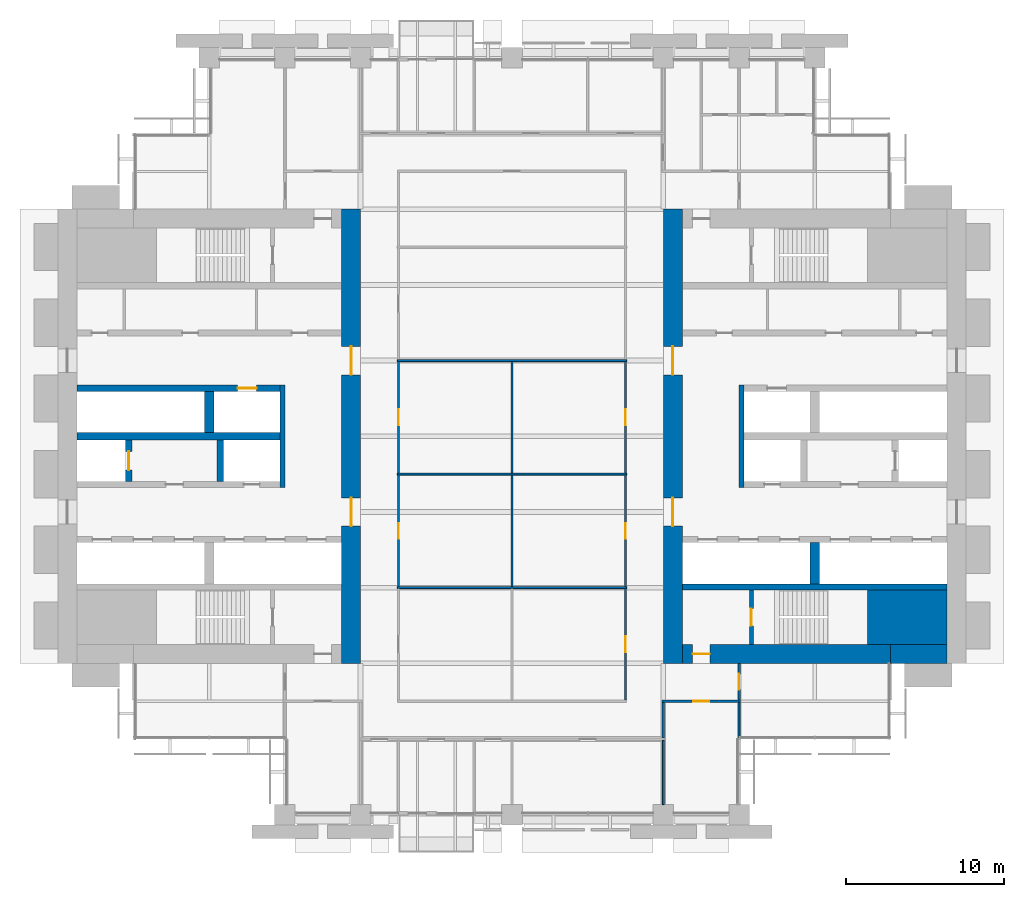
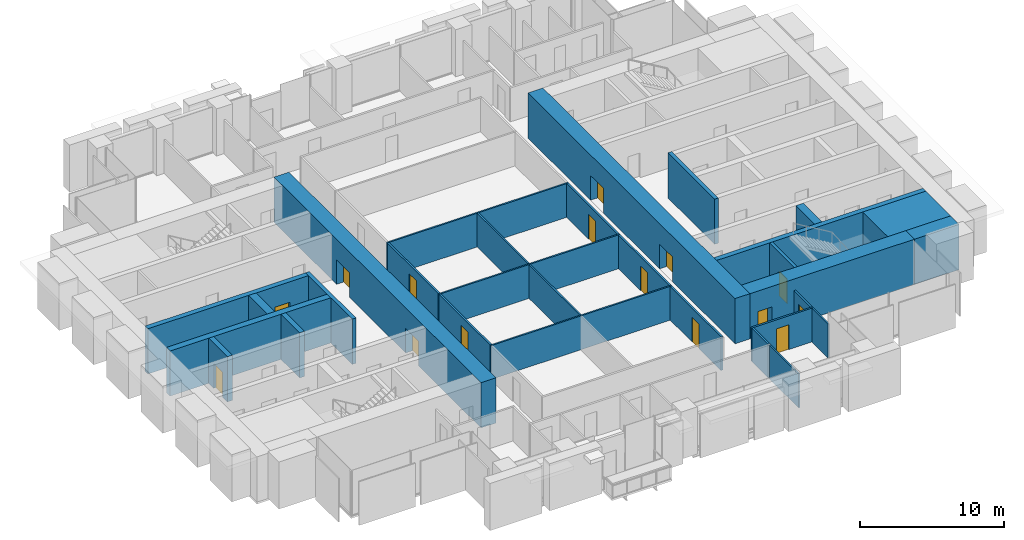
# One storey, part 10 of 15: 30 walls, 15 doors, 15 openings.
"""IFC4 building model written with IfcOpenShell, lengths in metres."""

from ifc_helpers import new_model, si_unit, direction, frame, frame_2d, origin, place, context, subcontext, project, spatial, rectangle, extrude, material, layer, layer_set, type_object, element, fill, save


model = new_model("IFC4")

# Units and contexts
model_context = context("Model", 3, precision=1e-05, world=origin(), true_north=direction((0.0, 1.0)))
body_context = subcontext(model_context, "Body", "Model", "MODEL_VIEW")
ifc_project = project(units=[si_unit("LENGTHUNIT", "METRE"), si_unit("AREAUNIT", "SQUARE_METRE"), si_unit("VOLUMEUNIT", "CUBIC_METRE"), si_unit("PLANEANGLEUNIT", "RADIAN"), si_unit("MASSUNIT", "GRAM", prefix="KILO")], contexts=[model_context])

# Site, building, storey
site_placement = place(None, origin())
site = spatial("IfcSite", under=ifc_project, at=site_placement, CompositionType="ELEMENT")
building_placement = place(site_placement, origin())
building = spatial("IfcBuilding", under=site, at=building_placement, Name="Baori Bourse Tower", CompositionType="ELEMENT")
storey_placement = place(building_placement, frame((0.0, 0.0, 71.0)))
storey = spatial("IfcBuildingStorey", under=building, at=storey_placement, Name="L15", CompositionType="ELEMENT", Elevation=71.0)

# Wall
ifc_material_1 = material(Name="Concrete f'c 70 MPa", Category="concrete")
wall_type_1 = type_object("IfcWallType", Name="Core corner block f'c 70", PredefinedType="SHEAR", material=ifc_material_1)
wall_1_placement = place(storey_placement, frame((51.35009765625, 12.52490234375, 0.0), z_axis=(0.0, 0.0, 1.0), x_axis=(1.0, 0.0, 0.0)))
element("IfcWall", 1, at=wall_1_placement, inside=storey, type_object=wall_type_1, Name="Core wall E05", PredefinedType="SHEAR", context=body_context, shape_type="SweptSolid", body=[
    extrude(rectangle(XDim=5.0498046875, YDim=3.449951171875, at=frame_2d((2.52490234375, 0.0))), origin(), (0.0, 0.0, 1.0), 3.840087890625),
])

# Wall, openings, doors
ifc_material_2 = material(Name="Concrete f'c 70 MPa", Category="concrete")
ifc_layer_1 = layer(ifc_material_2, 1.199951171875)
ifc_layer_set_1 = layer_set([ifc_layer_1], Name="Core wall 1200 f'c 70")
wall_type_2 = type_object("IfcWallType", Name="Core wall 1200 f'c 70", PredefinedType="SHEAR", material=ifc_layer_set_1)
wall_2_placement = place(storey_placement, frame((18.60009765625, 38.39990234375, 0.0), z_axis=(0.0, 0.0, 1.0), x_axis=(0.0, -1.0, 0.0)))
wall_2 = element("IfcWall", 2, at=wall_2_placement, inside=storey, type_object=wall_type_2, Name="Core wall W04", PredefinedType="SHEAR", context=body_context, shape_type="SweptSolid", body=[
    extrude(rectangle(XDim=28.7998046875, YDim=1.199951171875, at=frame_2d((14.39990234375, 0.0))), origin(), (0.0, 0.0, 1.0), 3.840087890625),
])
opening_1_placement = place(wall_2_placement, frame((18.300048828125, 0.0, 0.0)))
opening_1 = element("IfcOpeningElement", 3, at=opening_1_placement, cuts=wall_2, Name="Opening L15-D107", PredefinedType="OPENING", context=body_context, shape_type="SweptSolid", body=[
    extrude(rectangle(XDim=1.800048828125, YDim=2.10009765625, at=frame_2d((0.89990234375, 1.050048828125))), frame((0.0, 0.60986328125, 0.0), z_axis=(0.0, -1.0, 0.0), x_axis=(1.0, 0.0, 0.0)), (0.0, 0.0, 1.0), 1.219970703125),
])
opening_2_placement = place(wall_2_placement, frame((8.699951171875, 0.0, 0.0)))
opening_2 = element("IfcOpeningElement", 4, at=opening_2_placement, cuts=wall_2, Name="Opening L15-D108", PredefinedType="OPENING", context=body_context, shape_type="SweptSolid", body=[
    extrude(rectangle(XDim=1.800048828125, YDim=2.10009765625, at=frame_2d((0.89990234375, 1.050048828125))), frame((0.0, 0.60986328125, 0.0), z_axis=(0.0, -1.0, 0.0), x_axis=(1.0, 0.0, 0.0)), (0.0, 0.0, 1.0), 1.219970703125),
])
ifc_material_3 = material(Name="Painted steel door", Category="steel")
door_type_1 = type_object("IfcDoorType", Name="Core lobby door 1800", OperationType="DOUBLE_DOOR_SINGLE_SWING", PredefinedType="DOOR", material=ifc_material_3)
door_1_placement = place(opening_1_placement, origin())
door_1 = element("IfcDoor", 5, at=door_1_placement, inside=storey, type_object=door_type_1, Name="Lobby door W L15", OperationType="DOUBLE_DOOR_SINGLE_SWING", OverallHeight=2.10009765625, OverallWidth=1.800048828125, PredefinedType="DOOR", context=body_context, shape_type="SweptSolid", body=[
    extrude(rectangle(XDim=1.800048828125, YDim=2.10009765625, at=frame_2d((0.89990234375, 1.050048828125))), frame((0.0, 0.02490234375, 0.0), z_axis=(0.0, -1.0, 0.0), x_axis=(1.0, 0.0, 0.0)), (0.0, 0.0, 1.0), 0.050048828125),
])
fill(opening_1, door_1)
door_2_placement = place(opening_2_placement, origin())
door_2 = element("IfcDoor", 6, at=door_2_placement, inside=storey, type_object=door_type_1, Name="Lobby door W L15", OperationType="DOUBLE_DOOR_SINGLE_SWING", OverallHeight=2.10009765625, OverallWidth=1.800048828125, PredefinedType="DOOR", context=body_context, shape_type="SweptSolid", body=[
    extrude(rectangle(XDim=1.800048828125, YDim=2.10009765625, at=frame_2d((0.89990234375, 1.050048828125))), frame((0.0, 0.02490234375, 0.0), z_axis=(0.0, -1.0, 0.0), x_axis=(1.0, 0.0, 0.0)), (0.0, 0.0, 1.0), 0.050048828125),
])
fill(opening_2, door_2)

# Wall
wall_3_placement = place(storey_placement, frame((56.39990234375, 10.199951171875, 0.0), z_axis=(0.0, 0.0, 1.0), x_axis=(-1.0, 0.0, 0.0)))
element("IfcWall", 7, at=wall_3_placement, inside=storey, type_object=wall_type_2, Name="Core wall E02", PredefinedType="SHEAR", context=body_context, shape_type="SweptSolid", body=[
    extrude(rectangle(XDim=3.599853515625, YDim=1.199951171875, at=frame_2d((1.7998046875, 0.0))), origin(), (0.0, 0.0, 1.0), 3.840087890625),
])

# Wall, opening, door
wall_4_placement = place(storey_placement, frame((52.800048828125, 10.199951171875, 0.0), z_axis=(0.0, 0.0, 1.0), x_axis=(-1.0, 0.0, 0.0)))
wall_4 = element("IfcWall", 8, at=wall_4_placement, inside=storey, type_object=wall_type_2, Name="Core wall E03", PredefinedType="SHEAR", context=body_context, shape_type="SweptSolid", body=[
    extrude(rectangle(XDim=13.199951171875, YDim=1.199951171875, at=frame_2d((6.60009765625, 0.0))), origin(), (0.0, 0.0, 1.0), 3.840087890625),
])
opening_3_placement = place(wall_4_placement, frame((11.449951171875, 0.0, 0.0)))
opening_3 = element("IfcOpeningElement", 9, at=opening_3_placement, cuts=wall_4, Name="Opening L15-D202", PredefinedType="OPENING", context=body_context, shape_type="SweptSolid", body=[
    extrude(rectangle(XDim=1.10009765625, YDim=2.10009765625, at=frame_2d((0.550048828125, 1.050048828125))), frame((0.0, 0.60986328125, 0.0), z_axis=(0.0, -1.0, 0.0), x_axis=(1.0, 0.0, 0.0)), (0.0, 0.0, 1.0), 1.219970703125),
])
ifc_material_4 = material(Name="Painted steel door", Category="steel")
door_type_2 = type_object("IfcDoorType", Name="Stair door 1100", OperationType="SINGLE_SWING_LEFT", PredefinedType="DOOR", material=ifc_material_4)
door_3_placement = place(opening_3_placement, origin())
door_3 = element("IfcDoor", 10, at=door_3_placement, inside=storey, type_object=door_type_2, Name="Stair vestibule door A E L15", OperationType="SINGLE_SWING_LEFT", OverallHeight=2.10009765625, OverallWidth=1.10009765625, PredefinedType="DOOR", context=body_context, shape_type="SweptSolid", body=[
    extrude(rectangle(XDim=1.10009765625, YDim=2.10009765625, at=frame_2d((0.550048828125, 1.050048828125))), frame((0.0, 0.02490234375, 0.0), z_axis=(0.0, -1.0, 0.0), x_axis=(1.0, 0.0, 0.0)), (0.0, 0.0, 1.0), 0.050048828125),
])
fill(opening_3, door_3)

# Wall, openings, doors
wall_5_placement = place(storey_placement, frame((39.0, 9.60009765625, 0.0), z_axis=(0.0, 0.0, 1.0), x_axis=(0.0, 1.0, 0.0)))
wall_5 = element("IfcWall", 11, at=wall_5_placement, inside=storey, type_object=wall_type_2, Name="Core wall E04", PredefinedType="SHEAR", context=body_context, shape_type="SweptSolid", body=[
    extrude(rectangle(XDim=28.7998046875, YDim=1.199951171875, at=frame_2d((14.39990234375, 0.0))), origin(), (0.0, 0.0, 1.0), 3.840087890625),
])
opening_4_placement = place(wall_5_placement, frame((8.699951171875, 0.0, 0.0)))
opening_4 = element("IfcOpeningElement", 12, at=opening_4_placement, cuts=wall_5, Name="Opening L15-D207", PredefinedType="OPENING", context=body_context, shape_type="SweptSolid", body=[
    extrude(rectangle(XDim=1.800048828125, YDim=2.10009765625, at=frame_2d((0.89990234375, 1.050048828125))), frame((0.0, 0.60986328125, 0.0), z_axis=(0.0, -1.0, 0.0), x_axis=(1.0, 0.0, 0.0)), (0.0, 0.0, 1.0), 1.219970703125),
])
opening_5_placement = place(wall_5_placement, frame((18.300048828125, 0.0, 0.0)))
opening_5 = element("IfcOpeningElement", 13, at=opening_5_placement, cuts=wall_5, Name="Opening L15-D208", PredefinedType="OPENING", context=body_context, shape_type="SweptSolid", body=[
    extrude(rectangle(XDim=1.800048828125, YDim=2.10009765625, at=frame_2d((0.89990234375, 1.050048828125))), frame((0.0, 0.60986328125, 0.0), z_axis=(0.0, -1.0, 0.0), x_axis=(1.0, 0.0, 0.0)), (0.0, 0.0, 1.0), 1.219970703125),
])
door_4_placement = place(opening_4_placement, origin())
door_4 = element("IfcDoor", 14, at=door_4_placement, inside=storey, type_object=door_type_1, Name="Lobby door E L15", OperationType="DOUBLE_DOOR_SINGLE_SWING", OverallHeight=2.10009765625, OverallWidth=1.800048828125, PredefinedType="DOOR", context=body_context, shape_type="SweptSolid", body=[
    extrude(rectangle(XDim=1.800048828125, YDim=2.10009765625, at=frame_2d((0.89990234375, 1.050048828125))), frame((0.0, 0.02490234375, 0.0), z_axis=(0.0, -1.0, 0.0), x_axis=(1.0, 0.0, 0.0)), (0.0, 0.0, 1.0), 0.050048828125),
])
fill(opening_4, door_4)
door_5_placement = place(opening_5_placement, origin())
door_5 = element("IfcDoor", 15, at=door_5_placement, inside=storey, type_object=door_type_1, Name="Lobby door E L15", OperationType="DOUBLE_DOOR_SINGLE_SWING", OverallHeight=2.10009765625, OverallWidth=1.800048828125, PredefinedType="DOOR", context=body_context, shape_type="SweptSolid", body=[
    extrude(rectangle(XDim=1.800048828125, YDim=2.10009765625, at=frame_2d((0.89990234375, 1.050048828125))), frame((0.0, 0.02490234375, 0.0), z_axis=(0.0, -1.0, 0.0), x_axis=(1.0, 0.0, 0.0)), (0.0, 0.0, 1.0), 0.050048828125),
])
fill(opening_5, door_5)

# Wall, opening, door
ifc_material_5 = material(Name="Gypsum board partition")
ifc_layer_2 = layer(ifc_material_5, 0.14990234375)
ifc_layer_set_2 = layer_set([ifc_layer_2], Name="Corridor partition 150")
wall_type_3 = type_object("IfcWallType", Name="Corridor partition 150", PredefinedType="PARTITIONING", material=ifc_layer_set_2)
wall_6_placement = place(storey_placement, frame((38.324951171875, 7.199951171875, 0.0), z_axis=(0.0, 0.0, 1.0), x_axis=(1.0, 0.0, 0.0)))
wall_6 = element("IfcWall", 16, at=wall_6_placement, inside=storey, type_object=wall_type_3, Name="Partition", PredefinedType="PARTITIONING", context=body_context, shape_type="SweptSolid", body=[
    extrude(rectangle(XDim=4.949951171875, YDim=0.14990234375, at=frame_2d((2.47509765625, 0.0))), origin(), (0.0, 0.0, 1.0), 2.86962890625),
])
opening_6_placement = place(wall_6_placement, frame((1.97509765625, 0.0, 0.0)))
opening_6 = element("IfcOpeningElement", 17, at=opening_6_placement, cuts=wall_6, Name="Opening L15-D06", PredefinedType="OPENING", context=body_context, shape_type="SweptSolid", body=[
    extrude(rectangle(XDim=1.0, YDim=2.10009765625, at=frame_2d((0.5, 1.050048828125))), frame((0.0, 0.0849609375, 0.0), z_axis=(0.0, -1.0, 0.0), x_axis=(1.0, 0.0, 0.0)), (0.0, 0.0, 1.0), 0.169921875),
])
ifc_material_6 = material(Name="Timber door leaf", Category="wood")
door_type_3 = type_object("IfcDoorType", Name="Door 1000 x 2100", OperationType="SINGLE_SWING_LEFT", PredefinedType="DOOR", material=ifc_material_6)
door_6_placement = place(opening_6_placement, origin())
door_6 = element("IfcDoor", 18, at=door_6_placement, inside=storey, type_object=door_type_3, Name="Door", OperationType="SINGLE_SWING_LEFT", OverallHeight=2.10009765625, OverallWidth=1.0, PredefinedType="DOOR", context=body_context, shape_type="SweptSolid", body=[
    extrude(rectangle(XDim=1.0, YDim=2.10009765625, at=frame_2d((0.5, 1.050048828125))), frame((0.0, 0.02490234375, 0.0), z_axis=(0.0, -1.0, 0.0), x_axis=(1.0, 0.0, 0.0)), (0.0, 0.0, 1.0), 0.050048828125),
])
fill(opening_6, door_6)

wall_7_placement = place(storey_placement, frame((21.60009765625, 14.46240234375, 0.0), z_axis=(0.0, 0.0, 1.0), x_axis=(0.0, 1.0, 0.0)))
wall_7 = element("IfcWall", 19, at=wall_7_placement, inside=storey, type_object=wall_type_3, Name="Partition", PredefinedType="PARTITIONING", context=body_context, shape_type="SweptSolid", body=[
    extrude(rectangle(XDim=7.0751953125, YDim=0.14990234375, at=frame_2d((3.53759765625, 0.0))), origin(), (0.0, 0.0, 1.0), 2.86962890625),
])
opening_7_placement = place(wall_7_placement, frame((3.03759765625, 0.0, 0.0)))
opening_7 = element("IfcOpeningElement", 20, at=opening_7_placement, cuts=wall_7, Name="Opening L15-D20", PredefinedType="OPENING", context=body_context, shape_type="SweptSolid", body=[
    extrude(rectangle(XDim=1.0, YDim=2.10009765625, at=frame_2d((0.5, 1.050048828125))), frame((0.0, 0.0849609375, 0.0), z_axis=(0.0, -1.0, 0.0), x_axis=(1.0, 0.0, 0.0)), (0.0, 0.0, 1.0), 0.169921875),
])
door_7_placement = place(opening_7_placement, origin())
door_7 = element("IfcDoor", 21, at=door_7_placement, inside=storey, type_object=door_type_3, Name="Door", OperationType="SINGLE_SWING_LEFT", OverallHeight=2.10009765625, OverallWidth=1.0, PredefinedType="DOOR", context=body_context, shape_type="SweptSolid", body=[
    extrude(rectangle(XDim=1.0, YDim=2.10009765625, at=frame_2d((0.5, 1.050048828125))), frame((0.0, 0.02490234375, 0.0), z_axis=(0.0, -1.0, 0.0), x_axis=(1.0, 0.0, 0.0)), (0.0, 0.0, 1.0), 0.050048828125),
])
fill(opening_7, door_7)

wall_8_placement = place(storey_placement, frame((21.60009765625, 21.66259765625, 0.0), z_axis=(0.0, 0.0, 1.0), x_axis=(0.0, 1.0, 0.0)))
wall_8 = element("IfcWall", 22, at=wall_8_placement, inside=storey, type_object=wall_type_3, Name="Partition", PredefinedType="PARTITIONING", context=body_context, shape_type="SweptSolid", body=[
    extrude(rectangle(XDim=7.074951171875, YDim=0.14990234375, at=frame_2d((3.53759765625, 0.0))), origin(), (0.0, 0.0, 1.0), 2.86962890625),
])
opening_8_placement = place(wall_8_placement, frame((3.03759765625, 0.0, 0.0)))
opening_8 = element("IfcOpeningElement", 23, at=opening_8_placement, cuts=wall_8, Name="Opening L15-D21", PredefinedType="OPENING", context=body_context, shape_type="SweptSolid", body=[
    extrude(rectangle(XDim=1.0, YDim=2.10009765625, at=frame_2d((0.5, 1.050048828125))), frame((0.0, 0.0849609375, 0.0), z_axis=(0.0, -1.0, 0.0), x_axis=(1.0, 0.0, 0.0)), (0.0, 0.0, 1.0), 0.169921875),
])
door_8_placement = place(opening_8_placement, origin())
door_8 = element("IfcDoor", 24, at=door_8_placement, inside=storey, type_object=door_type_3, Name="Door", OperationType="SINGLE_SWING_LEFT", OverallHeight=2.10009765625, OverallWidth=1.0, PredefinedType="DOOR", context=body_context, shape_type="SweptSolid", body=[
    extrude(rectangle(XDim=1.0, YDim=2.10009765625, at=frame_2d((0.5, 1.050048828125))), frame((0.0, 0.02490234375, 0.0), z_axis=(0.0, -1.0, 0.0), x_axis=(1.0, 0.0, 0.0)), (0.0, 0.0, 1.0), 0.050048828125),
])
fill(opening_8, door_8)

wall_9_placement = place(storey_placement, frame((36.0, 7.27490234375, 0.0), z_axis=(0.0, 0.0, 1.0), x_axis=(0.0, 1.0, 0.0)))
wall_9 = element("IfcWall", 25, at=wall_9_placement, inside=storey, type_object=wall_type_3, Name="Partition", PredefinedType="PARTITIONING", context=body_context, shape_type="SweptSolid", body=[
    extrude(rectangle(XDim=7.0625, YDim=0.14990234375, at=frame_2d((3.53125, 0.0))), origin(), (0.0, 0.0, 1.0), 2.86962890625),
])
opening_9_placement = place(wall_9_placement, frame((3.03125, 0.0, 0.0)))
opening_9 = element("IfcOpeningElement", 26, at=opening_9_placement, cuts=wall_9, Name="Opening L15-D23", PredefinedType="OPENING", context=body_context, shape_type="SweptSolid", body=[
    extrude(rectangle(XDim=1.0, YDim=2.10009765625, at=frame_2d((0.5, 1.050048828125))), frame((0.0, 0.0849609375, 0.0), z_axis=(0.0, -1.0, 0.0), x_axis=(1.0, 0.0, 0.0)), (0.0, 0.0, 1.0), 0.169921875),
])
door_9_placement = place(opening_9_placement, origin())
door_9 = element("IfcDoor", 27, at=door_9_placement, inside=storey, type_object=door_type_3, Name="Door", OperationType="SINGLE_SWING_RIGHT", OverallHeight=2.10009765625, OverallWidth=1.0, PredefinedType="DOOR", context=body_context, shape_type="SweptSolid", body=[
    extrude(rectangle(XDim=1.0, YDim=2.10009765625, at=frame_2d((0.5, 1.050048828125))), frame((0.0, 0.02490234375, 0.0), z_axis=(0.0, -1.0, 0.0), x_axis=(1.0, 0.0, 0.0)), (0.0, 0.0, 1.0), 0.050048828125),
])
fill(opening_9, door_9)

wall_10_placement = place(storey_placement, frame((36.0, 14.46240234375, 0.0), z_axis=(0.0, 0.0, 1.0), x_axis=(0.0, 1.0, 0.0)))
wall_10 = element("IfcWall", 28, at=wall_10_placement, inside=storey, type_object=wall_type_3, Name="Partition", PredefinedType="PARTITIONING", context=body_context, shape_type="SweptSolid", body=[
    extrude(rectangle(XDim=7.0751953125, YDim=0.14990234375, at=frame_2d((3.53759765625, 0.0))), origin(), (0.0, 0.0, 1.0), 2.86962890625),
])
opening_10_placement = place(wall_10_placement, frame((3.03759765625, 0.0, 0.0)))
opening_10 = element("IfcOpeningElement", 29, at=opening_10_placement, cuts=wall_10, Name="Opening L15-D24", PredefinedType="OPENING", context=body_context, shape_type="SweptSolid", body=[
    extrude(rectangle(XDim=1.0, YDim=2.10009765625, at=frame_2d((0.5, 1.050048828125))), frame((0.0, 0.0849609375, 0.0), z_axis=(0.0, -1.0, 0.0), x_axis=(1.0, 0.0, 0.0)), (0.0, 0.0, 1.0), 0.169921875),
])
door_10_placement = place(opening_10_placement, origin())
door_10 = element("IfcDoor", 30, at=door_10_placement, inside=storey, type_object=door_type_3, Name="Door", OperationType="SINGLE_SWING_RIGHT", OverallHeight=2.10009765625, OverallWidth=1.0, PredefinedType="DOOR", context=body_context, shape_type="SweptSolid", body=[
    extrude(rectangle(XDim=1.0, YDim=2.10009765625, at=frame_2d((0.5, 1.050048828125))), frame((0.0, 0.02490234375, 0.0), z_axis=(0.0, -1.0, 0.0), x_axis=(1.0, 0.0, 0.0)), (0.0, 0.0, 1.0), 0.050048828125),
])
fill(opening_10, door_10)

wall_11_placement = place(storey_placement, frame((36.0, 21.66259765625, 0.0), z_axis=(0.0, 0.0, 1.0), x_axis=(0.0, 1.0, 0.0)))
wall_11 = element("IfcWall", 31, at=wall_11_placement, inside=storey, type_object=wall_type_3, Name="Partition", PredefinedType="PARTITIONING", context=body_context, shape_type="SweptSolid", body=[
    extrude(rectangle(XDim=7.074951171875, YDim=0.14990234375, at=frame_2d((3.53759765625, 0.0))), origin(), (0.0, 0.0, 1.0), 2.86962890625),
])
opening_11_placement = place(wall_11_placement, frame((3.03759765625, 0.0, 0.0)))
opening_11 = element("IfcOpeningElement", 32, at=opening_11_placement, cuts=wall_11, Name="Opening L15-D25", PredefinedType="OPENING", context=body_context, shape_type="SweptSolid", body=[
    extrude(rectangle(XDim=1.0, YDim=2.10009765625, at=frame_2d((0.5, 1.050048828125))), frame((0.0, 0.0849609375, 0.0), z_axis=(0.0, -1.0, 0.0), x_axis=(1.0, 0.0, 0.0)), (0.0, 0.0, 1.0), 0.169921875),
])
door_11_placement = place(opening_11_placement, origin())
door_11 = element("IfcDoor", 33, at=door_11_placement, inside=storey, type_object=door_type_3, Name="Door", OperationType="SINGLE_SWING_RIGHT", OverallHeight=2.10009765625, OverallWidth=1.0, PredefinedType="DOOR", context=body_context, shape_type="SweptSolid", body=[
    extrude(rectangle(XDim=1.0, YDim=2.10009765625, at=frame_2d((0.5, 1.050048828125))), frame((0.0, 0.02490234375, 0.0), z_axis=(0.0, -1.0, 0.0), x_axis=(1.0, 0.0, 0.0)), (0.0, 0.0, 1.0), 0.050048828125),
])
fill(opening_11, door_11)

# Wall
wall_12_placement = place(storey_placement, frame((38.39990234375, 4.875, 0.0), z_axis=(0.0, 0.0, 1.0), x_axis=(0.0, 1.0, 0.0)))
element("IfcWall", 34, at=wall_12_placement, inside=storey, type_object=wall_type_3, Name="Partition", PredefinedType="PARTITIONING", context=body_context, shape_type="SweptSolid", body=[
    extrude(rectangle(XDim=2.25, YDim=0.14990234375, at=frame_2d((1.125, 0.0))), origin(), (0.0, 0.0, 1.0), 2.86962890625),
])

# Wall, opening, door
wall_13_placement = place(storey_placement, frame((43.199951171875, 7.27490234375, 0.0), z_axis=(0.0, 0.0, 1.0), x_axis=(0.0, 1.0, 0.0)))
wall_13 = element("IfcWall", 35, at=wall_13_placement, inside=storey, type_object=wall_type_3, Name="Partition", PredefinedType="PARTITIONING", context=body_context, shape_type="SweptSolid", body=[
    extrude(rectangle(XDim=2.3251953125, YDim=0.14990234375, at=frame_2d((1.16259765625, 0.0))), origin(), (0.0, 0.0, 1.0), 2.86962890625),
])
opening_12_placement = place(wall_13_placement, frame((0.66259765625, 0.0, 0.0)))
opening_12 = element("IfcOpeningElement", 36, at=opening_12_placement, cuts=wall_13, Name="Opening L15-D27", PredefinedType="OPENING", context=body_context, shape_type="SweptSolid", body=[
    extrude(rectangle(XDim=1.0, YDim=2.10009765625, at=frame_2d((0.5, 1.050048828125))), frame((0.0, 0.0849609375, 0.0), z_axis=(0.0, -1.0, 0.0), x_axis=(1.0, 0.0, 0.0)), (0.0, 0.0, 1.0), 0.169921875),
])
door_12_placement = place(opening_12_placement, origin())
door_12 = element("IfcDoor", 37, at=door_12_placement, inside=storey, type_object=door_type_3, Name="Door", OperationType="SINGLE_SWING_LEFT", OverallHeight=2.10009765625, OverallWidth=1.0, PredefinedType="DOOR", context=body_context, shape_type="SweptSolid", body=[
    extrude(rectangle(XDim=1.0, YDim=2.10009765625, at=frame_2d((0.5, 1.050048828125))), frame((0.0, 0.02490234375, 0.0), z_axis=(0.0, -1.0, 0.0), x_axis=(1.0, 0.0, 0.0)), (0.0, 0.0, 1.0), 0.050048828125),
])
fill(opening_12, door_12)

# Walls
ifc_material_7 = material(Name="Gypsum board partition")
ifc_layer_3 = layer(ifc_material_7, 0.125)
ifc_layer_set_3 = layer_set([ifc_layer_3], Name="Partition 125")
wall_type_4 = type_object("IfcWallType", Name="Partition 125", PredefinedType="PARTITIONING", material=ifc_layer_set_3)
for number, where, z_axis, x_axis, name in (
    (38, (21.52490234375, 14.39990234375, 0.0), (0.0, 0.0, 1.0), (1.0, 0.0, 0.0), "Partition"),
    (39, (21.52490234375, 21.60009765625, 0.0), (0.0, 0.0, 1.0), (1.0, 0.0, 0.0), "Partition"),
    (40, (21.52490234375, 28.800048828125, 0.0), (0.0, 0.0, 1.0), (1.0, 0.0, 0.0), "Partition"),
):
    element("IfcWall", number, at=place(storey_placement, frame(where, z_axis=z_axis, x_axis=x_axis)), inside=storey, type_object=wall_type_4, Name=name, PredefinedType="PARTITIONING", context=body_context, shape_type="SweptSolid", body=[
        extrude(rectangle(XDim=14.550048828125, YDim=0.125, at=frame_2d((7.27490234375, 0.0))), origin(), (0.0, 0.0, 1.0), 2.86962890625),
    ])
wall_14_placement = place(storey_placement, frame((28.800048828125, 14.46240234375, 0.0), z_axis=(0.0, 0.0, 1.0), x_axis=(0.0, 1.0, 0.0)))
element("IfcWall", 41, at=wall_14_placement, inside=storey, type_object=wall_type_4, Name="Partition", PredefinedType="PARTITIONING", context=body_context, shape_type="SweptSolid", body=[
    extrude(rectangle(XDim=7.0751953125, YDim=0.125, at=frame_2d((3.53759765625, 0.0))), origin(), (0.0, 0.0, 1.0), 2.86962890625),
])
wall_15_placement = place(storey_placement, frame((28.800048828125, 21.66259765625, 0.0), z_axis=(0.0, 0.0, 1.0), x_axis=(0.0, 1.0, 0.0)))
element("IfcWall", 42, at=wall_15_placement, inside=storey, type_object=wall_type_4, Name="Partition", PredefinedType="PARTITIONING", context=body_context, shape_type="SweptSolid", body=[
    extrude(rectangle(XDim=7.074951171875, YDim=0.125, at=frame_2d((3.53759765625, 0.0))), origin(), (0.0, 0.0, 1.0), 2.86962890625),
])
wall_16_placement = place(storey_placement, frame((38.39990234375, 0.64990234375, 0.0), z_axis=(0.0, 0.0, 1.0), x_axis=(0.0, 1.0, 0.0)))
element("IfcWall", 43, at=wall_16_placement, inside=storey, type_object=wall_type_4, Name="Partition", PredefinedType="PARTITIONING", context=body_context, shape_type="SweptSolid", body=[
    extrude(rectangle(XDim=4.0751953125, YDim=0.125, at=frame_2d((2.03759765625, 0.0))), origin(), (0.0, 0.0, 1.0), 2.86962890625),
])
wall_17_placement = place(storey_placement, frame((43.199951171875, 4.89990234375, 0.0), z_axis=(0.0, 0.0, 1.0), x_axis=(0.0, 1.0, 0.0)))
element("IfcWall", 44, at=wall_17_placement, inside=storey, type_object=wall_type_4, Name="Partition", PredefinedType="PARTITIONING", context=body_context, shape_type="SweptSolid", body=[
    extrude(rectangle(XDim=2.22509765625, YDim=0.125, at=frame_2d((1.112548828125, 0.0))), origin(), (0.0, 0.0, 1.0), 2.86962890625),
])

# Wall, opening, door
ifc_material_8 = material(Name="Concrete f'c 70 MPa", Category="concrete")
ifc_layer_4 = layer(ifc_material_8, 0.25)
ifc_layer_set_4 = layer_set([ifc_layer_4], Name="Shaft wall 250 f'c 70")
wall_type_5 = type_object("IfcWallType", Name="Shaft wall 250 f'c 70", PredefinedType="SHEAR", material=ifc_layer_set_4)
wall_18_placement = place(storey_placement, frame((43.97509765625, 10.800048828125, 0.0), z_axis=(0.0, 0.0, 1.0), x_axis=(0.0, 1.0, 0.0)))
wall_18 = element("IfcWall", 45, at=wall_18_placement, inside=storey, type_object=wall_type_5, Name="Core wall E06", PredefinedType="SHEAR", context=body_context, shape_type="SweptSolid", body=[
    extrude(rectangle(XDim=3.449951171875, YDim=0.25, at=frame_2d((1.72509765625, 0.0))), origin(), (0.0, 0.0, 1.0), 3.840087890625),
])
opening_13_placement = place(wall_18_placement, frame((1.175048828125, 0.0, 0.0)))
opening_13 = element("IfcOpeningElement", 46, at=opening_13_placement, cuts=wall_18, Name="Opening L15-D201", PredefinedType="OPENING", context=body_context, shape_type="SweptSolid", body=[
    extrude(rectangle(XDim=1.10009765625, YDim=2.10009765625, at=frame_2d((0.550048828125, 1.050048828125))), frame((0.0, 0.135009765625, 0.0), z_axis=(0.0, -1.0, 0.0), x_axis=(1.0, 0.0, 0.0)), (0.0, 0.0, 1.0), 0.27001953125),
])
door_13_placement = place(opening_13_placement, origin())
door_13 = element("IfcDoor", 47, at=door_13_placement, inside=storey, type_object=door_type_2, Name="Stair door A E L15", OperationType="SINGLE_SWING_LEFT", OverallHeight=2.10009765625, OverallWidth=1.10009765625, PredefinedType="DOOR", context=body_context, shape_type="SweptSolid", body=[
    extrude(rectangle(XDim=1.10009765625, YDim=2.10009765625, at=frame_2d((0.550048828125, 1.050048828125))), frame((0.0, 0.02490234375, 0.0), z_axis=(0.0, -1.0, 0.0), x_axis=(1.0, 0.0, 0.0)), (0.0, 0.0, 1.0), 0.050048828125),
])
fill(opening_13, door_13)

# Walls
ifc_material_9 = material(Name="Concrete f'c 70 MPa", Category="concrete")
ifc_layer_5 = layer(ifc_material_9, 0.300048828125)
ifc_layer_set_5 = layer_set([ifc_layer_5], Name="Shaft wall 300 f'c 70")
wall_type_6 = type_object("IfcWallType", Name="Shaft wall 300 f'c 70", PredefinedType="SHEAR", material=ifc_layer_set_5)
for number, where, z_axis, x_axis, name in (
    (48, (14.25, 20.75, 0.0), (0.0, 0.0, 1.0), (0.0, 1.0, 0.0), "Core wall W11"),
    (49, (43.35009765625, 20.75, 0.0), (0.0, 0.0, 1.0), (0.0, 1.0, 0.0), "Core wall E11"),
):
    element("IfcWall", number, at=place(storey_placement, frame(where, z_axis=z_axis, x_axis=x_axis)), inside=storey, type_object=wall_type_6, Name=name, PredefinedType="SHEAR", context=body_context, shape_type="SweptSolid", body=[
        extrude(rectangle(XDim=6.5, YDim=0.300048828125, at=frame_2d((3.25, 0.0))), origin(), (0.0, 0.0, 1.0), 3.840087890625),
    ])

# Wall, opening, door
ifc_material_10 = material(Name="Concrete f'c 70 MPa", Category="concrete")
ifc_layer_6 = layer(ifc_material_10, 0.39990234375)
ifc_layer_set_6 = layer_set([ifc_layer_6], Name="Shaft wall 400 f'c 70")
wall_type_7 = type_object("IfcWallType", Name="Shaft wall 400 f'c 70", PredefinedType="SHEAR", material=ifc_layer_set_6)
wall_19_placement = place(storey_placement, frame((4.5, 21.14990234375, 0.0), z_axis=(0.0, 0.0, 1.0), x_axis=(0.0, 1.0, 0.0)))
wall_19 = element("IfcWall", 50, at=wall_19_placement, inside=storey, type_object=wall_type_7, Name="Core wall W12", PredefinedType="SHEAR", context=body_context, shape_type="SweptSolid", body=[
    extrude(rectangle(XDim=2.60009765625, YDim=0.39990234375, at=frame_2d((1.300048828125, 0.0))), origin(), (0.0, 0.0, 1.0), 3.840087890625),
])
opening_14_placement = place(wall_19_placement, frame((0.699951171875, 0.0, 0.0)))
opening_14 = element("IfcOpeningElement", 51, at=opening_14_placement, cuts=wall_19, Name="Opening L15-D119", PredefinedType="OPENING", context=body_context, shape_type="SweptSolid", body=[
    extrude(rectangle(XDim=1.199951171875, YDim=2.10009765625, at=frame_2d((0.60009765625, 1.050048828125))), frame((0.0, 0.2099609375, 0.0), z_axis=(0.0, -1.0, 0.0), x_axis=(1.0, 0.0, 0.0)), (0.0, 0.0, 1.0), 0.419921875),
])
ifc_material_11 = material(Name="Stainless steel door", Category="steel")
door_type_4 = type_object("IfcDoorType", Name="Lift landing door", OperationType="DOUBLE_DOOR_SLIDING", PredefinedType="DOOR", material=ifc_material_11)
door_14_placement = place(opening_14_placement, origin())
door_14 = element("IfcDoor", 52, at=door_14_placement, inside=storey, type_object=door_type_4, Name="Lift landing door FF1 W L15", OperationType="DOUBLE_DOOR_SLIDING", OverallHeight=2.10009765625, OverallWidth=1.199951171875, PredefinedType="DOOR", context=body_context, shape_type="SweptSolid", body=[
    extrude(rectangle(XDim=1.199951171875, YDim=2.10009765625, at=frame_2d((0.60009765625, 1.050048828125))), frame((0.0, 0.02490234375, 0.0), z_axis=(0.0, -1.0, 0.0), x_axis=(1.0, 0.0, 0.0)), (0.0, 0.0, 1.0), 0.050048828125),
])
fill(opening_14, door_14)

# Wall
wall_20_placement = place(storey_placement, frame((10.300048828125, 21.14990234375, 0.0), z_axis=(0.0, 0.0, 1.0), x_axis=(0.0, 1.0, 0.0)))
element("IfcWall", 53, at=wall_20_placement, inside=storey, type_object=wall_type_7, Name="Core wall W13", PredefinedType="SHEAR", context=body_context, shape_type="SweptSolid", body=[
    extrude(rectangle(XDim=2.60009765625, YDim=0.39990234375, at=frame_2d((1.300048828125, 0.0))), origin(), (0.0, 0.0, 1.0), 3.840087890625),
])

# Wall, opening, door
wall_21_placement = place(storey_placement, frame((1.199951171875, 27.050048828125, 0.0), z_axis=(0.0, 0.0, 1.0), x_axis=(1.0, 0.0, 0.0)))
wall_21 = element("IfcWall", 54, at=wall_21_placement, inside=storey, type_object=wall_type_7, Name="Core wall W16", PredefinedType="SHEAR", context=body_context, shape_type="SweptSolid", body=[
    extrude(rectangle(XDim=12.900146484375, YDim=0.39990234375, at=frame_2d((6.4501953125, 0.0))), origin(), (0.0, 0.0, 1.0), 3.840087890625),
])
opening_15_placement = place(wall_21_placement, frame((10.199951171875, 0.0, 0.0)))
opening_15 = element("IfcOpeningElement", 55, at=opening_15_placement, cuts=wall_21, Name="Opening L15-D118", PredefinedType="OPENING", context=body_context, shape_type="SweptSolid", body=[
    extrude(rectangle(XDim=1.199951171875, YDim=2.10009765625, at=frame_2d((0.60009765625, 1.050048828125))), frame((0.0, 0.2099609375, 0.0), z_axis=(0.0, -1.0, 0.0), x_axis=(1.0, 0.0, 0.0)), (0.0, 0.0, 1.0), 0.419921875),
])
door_15_placement = place(opening_15_placement, origin())
door_15 = element("IfcDoor", 56, at=door_15_placement, inside=storey, type_object=door_type_4, Name="Lift landing door SV1 W L15", OperationType="DOUBLE_DOOR_SLIDING", OverallHeight=2.10009765625, OverallWidth=1.199951171875, PredefinedType="DOOR", context=body_context, shape_type="SweptSolid", body=[
    extrude(rectangle(XDim=1.199951171875, YDim=2.10009765625, at=frame_2d((0.60009765625, 1.050048828125))), frame((0.0, 0.02490234375, 0.0), z_axis=(0.0, -1.0, 0.0), x_axis=(1.0, 0.0, 0.0)), (0.0, 0.0, 1.0), 0.050048828125),
])
fill(opening_15, door_15)

# Walls
wall_22_placement = place(storey_placement, frame((39.60009765625, 14.449951171875, 0.0), z_axis=(0.0, 0.0, 1.0), x_axis=(1.0, 0.0, 0.0)))
element("IfcWall", 57, at=wall_22_placement, inside=storey, type_object=wall_type_7, Name="Core wall E07", PredefinedType="SHEAR", context=body_context, shape_type="SweptSolid", body=[
    extrude(rectangle(XDim=16.7998046875, YDim=0.39990234375, at=frame_2d((8.39990234375, 0.0))), origin(), (0.0, 0.0, 1.0), 3.840087890625),
])
ifc_material_12 = material(Name="Concrete f'c 70 MPa", Category="concrete")
ifc_layer_7 = layer(ifc_material_12, 0.5)
ifc_layer_set_7 = layer_set([ifc_layer_7], Name="Shaft wall 500 f'c 70")
wall_type_8 = type_object("IfcWallType", Name="Shaft wall 500 f'c 70", PredefinedType="SHEAR", material=ifc_layer_set_7)
wall_23_placement = place(storey_placement, frame((1.199951171875, 24.0, 0.0), z_axis=(0.0, 0.0, 1.0), x_axis=(1.0, 0.0, 0.0)))
element("IfcWall", 58, at=wall_23_placement, inside=storey, type_object=wall_type_8, Name="Core wall W14", PredefinedType="SHEAR", context=body_context, shape_type="SweptSolid", body=[
    extrude(rectangle(XDim=12.900146484375, YDim=0.5, at=frame_2d((6.4501953125, 0.0))), origin(), (0.0, 0.0, 1.0), 3.840087890625),
])
ifc_material_13 = material(Name="Concrete f'c 70 MPa", Category="concrete")
ifc_layer_8 = layer(ifc_material_13, 0.60009765625)
ifc_layer_set_8 = layer_set([ifc_layer_8], Name="Shaft wall 600 f'c 70")
wall_type_9 = type_object("IfcWallType", Name="Shaft wall 600 f'c 70", PredefinedType="SHEAR", material=ifc_layer_set_8)
for number, where, z_axis, x_axis, name in (
    (59, (9.60009765625, 24.25, 0.0), (0.0, 0.0, 1.0), (0.0, 1.0, 0.0), "Core wall W15"),
    (60, (48.0, 14.64990234375, 0.0), (0.0, 0.0, 1.0), (0.0, 1.0, 0.0), "Core wall E08"),
):
    element("IfcWall", number, at=place(storey_placement, frame(where, z_axis=z_axis, x_axis=x_axis)), inside=storey, type_object=wall_type_9, Name=name, PredefinedType="SHEAR", context=body_context, shape_type="SweptSolid", body=[
        extrude(rectangle(XDim=2.60009765625, YDim=0.60009765625, at=frame_2d((1.300048828125, 0.0))), origin(), (0.0, 0.0, 1.0), 3.840087890625),
    ])

save(model, "model.ifc")
